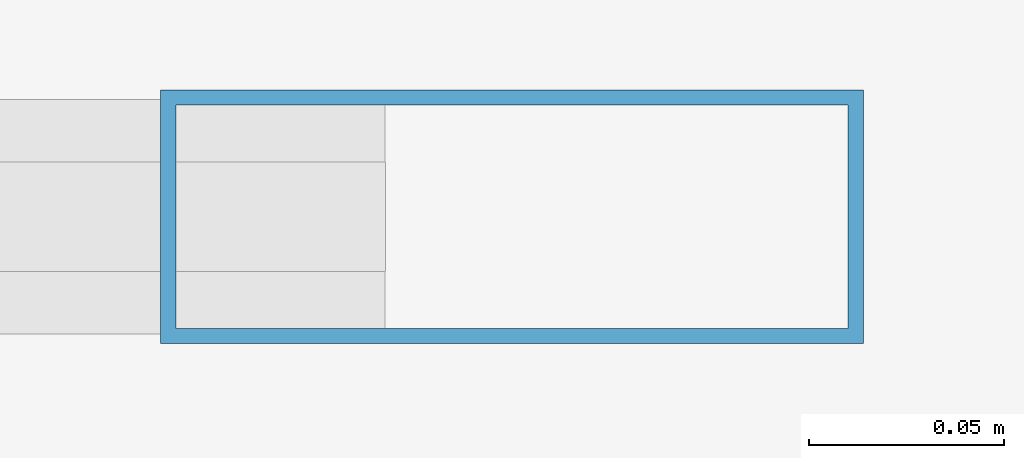
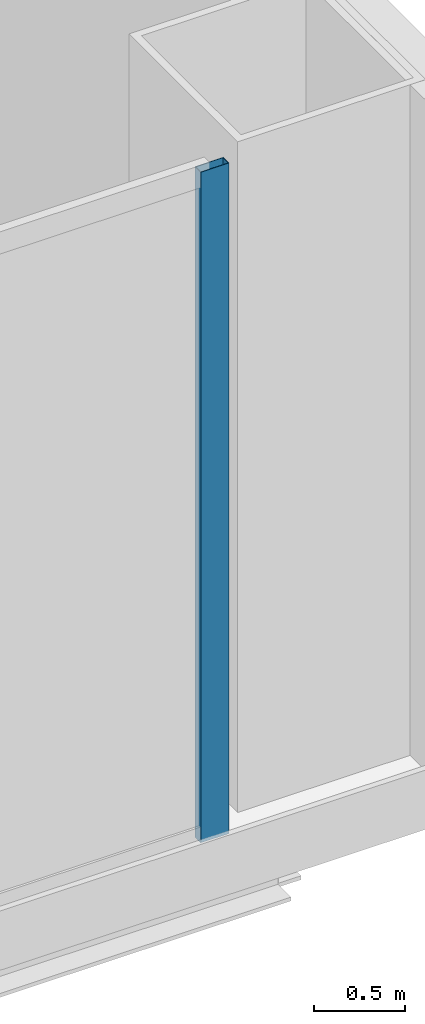
# One storey, part 16 of 27: 1 member, 1 element without a shape of its own.
"""IFC4 building model written with IfcOpenShell, lengths in metres."""

from ifc_helpers import new_model, si_unit, direction, frame, origin, origin_2d, place, context, subcontext, project, spatial, hollow_rectangle, extrude, source, transform, mapped, material, layer, layer_set, material_profile, profile_set, type_object, element, aggregate, save


model = new_model("IFC4")

# Units and contexts
model_context = context("Model", 3, precision=1e-05, world=origin(), true_north=direction((0.0, 1.0)))
body_context = subcontext(model_context, "Body", "Model", "MODEL_VIEW")
ifc_project = project(units=[si_unit("LENGTHUNIT", "METRE"), si_unit("AREAUNIT", "SQUARE_METRE"), si_unit("VOLUMEUNIT", "CUBIC_METRE"), si_unit("PLANEANGLEUNIT", "RADIAN"), si_unit("MASSUNIT", "GRAM", prefix="KILO"), si_unit("THERMODYNAMICTEMPERATUREUNIT", "KELVIN"), si_unit("POWERUNIT", "WATT")], contexts=[model_context])

# Site, building, storey
site_placement = place(None, origin())
site = spatial("IfcSite", under=ifc_project, at=site_placement, CompositionType="ELEMENT")
building_placement = place(site_placement, origin())
building = spatial("IfcBuilding", under=site, at=building_placement, Name="Yunzhuo Pagoda Commons", CompositionType="ELEMENT")
storey_placement = place(building_placement, frame((0.0, 0.0, 9.60009765625)))
storey = spatial("IfcBuildingStorey", under=building, at=storey_placement, Name="L03", CompositionType="ELEMENT", Elevation=9.60009765625)

# Curtain wall, member
ifc_material = material(Name="Anodized aluminium 6063-T6", Category="aluminium")
ifc_layer = layer(ifc_material, 0.179931640625)
ifc_layer_set = layer_set([ifc_layer], Name="Anodized aluminium 6063-T6")
curtain_wall_type = type_object("IfcCurtainWallType", Name="CW-POD Waterfront Podium Curtain Wall", PredefinedType="NOTDEFINED", material=ifc_layer_set)
curtain_wall_placement = place(storey_placement, origin())
curtain_wall = element("IfcCurtainWall", 1, at=curtain_wall_placement, inside=storey, type_object=curtain_wall_type, Name="L03 curtain wall CW-L03-S5", PredefinedType="NOTDEFINED")
ifc_material_profile = material_profile(ifc_material, hollow_rectangle(XDim=0.06494140625, YDim=0.179931640625, WallThickness=0.00390625, at=origin_2d()), Name="Anodized aluminium 6063-T6")
ifc_profile_set = profile_set([ifc_material_profile], Name="Anodized aluminium 6063-T6")
member_type = type_object("IfcMemberType", Name="CW-POD-M Mullion RHS 180x65x4", PredefinedType="MULLION", material=ifc_profile_set)
shared_shape = source(origin(), body_context, "Body", "SweptSolid", [
    extrude(hollow_rectangle(XDim=0.06494140625, YDim=0.179931640625, WallThickness=0.00390625, at=origin_2d()), origin(), (0.0, 0.0, 1.0), 4.52001953125),
])
member_placement = place(storey_placement, frame((90.367431640625, 6.080078125, 0.0), z_axis=(0.0, 0.0, 1.0), x_axis=(0.0, 1.0, 0.0)))
member = element("IfcMember", 2, at=member_placement, type_object=member_type, Name="CW mullion 3", PredefinedType="MULLION", context=body_context, shape_type="MappedRepresentation", body=[
    mapped(shared_shape, transform((0.0, 0.0, 0.0), scale=1.0)),
])
aggregate(curtain_wall, [member])

save(model, "model.ifc")
